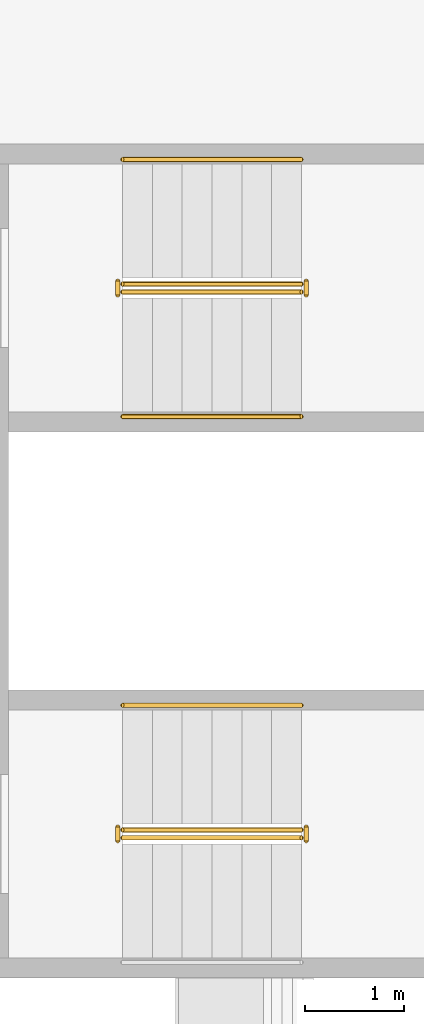
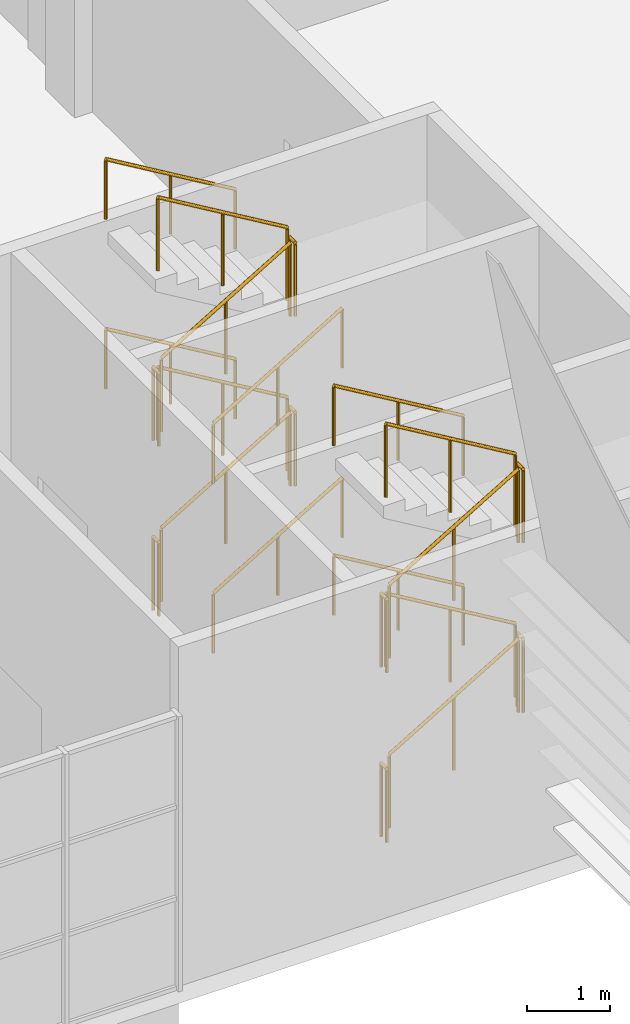
# One storey, part 71 of 82: 22 railings.
"""IFC4 building model written with IfcOpenShell, lengths in metres."""

from ifc_helpers import new_model, si_unit, direction, frame, origin, origin_2d, place, context, subcontext, project, spatial, circle, extrude, material, type_object, element, save


model = new_model("IFC4")

# Units and contexts
model_context = context("Model", 3, precision=1e-05, world=origin(), true_north=direction((0.0, 1.0)))
body_context = subcontext(model_context, "Body", "Model", "MODEL_VIEW")
ifc_project = project(units=[si_unit("LENGTHUNIT", "METRE"), si_unit("AREAUNIT", "SQUARE_METRE"), si_unit("VOLUMEUNIT", "CUBIC_METRE"), si_unit("PLANEANGLEUNIT", "RADIAN"), si_unit("MASSUNIT", "GRAM", prefix="KILO")], contexts=[model_context])

# Site, building, storey
site_placement = place(None, origin())
site = spatial("IfcSite", under=ifc_project, at=site_placement, CompositionType="ELEMENT")
building_placement = place(site_placement, origin())
building = spatial("IfcBuilding", under=site, at=building_placement, Name="Almond Square Museum", CompositionType="ELEMENT")
storey_placement = place(building_placement, frame((0.0, 0.0, 20.0)))
storey = spatial("IfcBuildingStorey", under=building, at=storey_placement, Name="L03", CompositionType="ELEMENT", Elevation=20.0)

# Railings
ifc_material_1 = material(Name="Stainless steel and laminated glass", Category="steel")
railing_type_1 = type_object("IfcRailingType", Name="Stair guard 1100 steel and glass", PredefinedType="GUARDRAIL", material=ifc_material_1)
railing_1_placement = place(storey_placement, frame((102.14990234375, 68.610107421875, 0.178466796875)))
element("IfcRailing", 1, at=railing_1_placement, inside=storey, type_object=railing_type_1, Name="L03 ST-11 stair guard 1", PredefinedType="GUARDRAIL", context=body_context, shape_type="SweptSolid", body=[
    extrude(circle(Radius=0.02392578125, at=origin_2d()), frame((0.0, 0.0, 1.076171875), z_axis=(0.859277029364, 0.0, 0.511510495305), x_axis=(0.0, 1.0, 0.0)), (0.0, 0.0, 1.0), 2.0947265625),
    extrude(circle(Radius=0.02099609375, at=origin_2d()), origin(), (0.0, 0.0, 1.0), 1.052001953125),
    extrude(circle(Radius=0.02099609375, at=origin_2d()), frame((0.89990234375, 0.0, 0.53564453125)), (0.0, 0.0, 1.0), 1.052001953125),
    extrude(circle(Radius=0.02099609375, at=origin_2d()), frame((1.800048828125, 0.0, 1.071533203125)), (0.0, 0.0, 1.0), 1.052001953125),
])
railing_2_placement = place(storey_placement, frame((104.0, 68.580078125, 1.25)))
element("IfcRailing", 2, at=railing_2_placement, inside=storey, type_object=railing_type_1, Name="L03 ST-11 stair guard 2", PredefinedType="GUARDRAIL", context=body_context, shape_type="SweptSolid", body=[
    extrude(circle(Radius=0.02392578125, at=origin_2d()), frame((0.0, 0.0, 1.076171875), z_axis=(0.0, 1.0, 0.0), x_axis=(-1.0, 0.0, 0.0)), (0.0, 0.0, 1.0), 0.139892578125),
    extrude(circle(Radius=0.02099609375, at=origin_2d()), origin(), (0.0, 0.0, 1.0), 1.052001953125),
    extrude(circle(Radius=0.02099609375, at=origin_2d()), frame((0.0, 0.139892578125, 0.0)), (0.0, 0.0, 1.0), 1.052001953125),
])
railing_3_placement = place(storey_placement, frame((103.949951171875, 68.68994140625, 1.428466796875)))
element("IfcRailing", 3, at=railing_3_placement, inside=storey, type_object=railing_type_1, Name="L03 ST-11 stair guard 3", PredefinedType="GUARDRAIL", context=body_context, shape_type="SweptSolid", body=[
    extrude(circle(Radius=0.02392578125, at=origin_2d()), frame((0.0, 0.0, 1.076171875), z_axis=(-0.859277029364, 0.0, 0.511510495305), x_axis=(0.0, -1.0, 0.0)), (0.0, 0.0, 1.0), 2.0947265625),
    extrude(circle(Radius=0.02099609375, at=origin_2d()), origin(), (0.0, 0.0, 1.0), 1.052001953125),
    extrude(circle(Radius=0.02099609375, at=origin_2d()), frame((-0.89990234375, 0.0, 0.53564453125)), (0.0, 0.0, 1.0), 1.052001953125),
    extrude(circle(Radius=0.02099609375, at=origin_2d()), frame((-1.800048828125, 0.0, 1.071533203125)), (0.0, 0.0, 1.0), 1.052001953125),
])
railing_4_placement = place(storey_placement, frame((102.10009765625, 68.580078125, 2.5)))
element("IfcRailing", 4, at=railing_4_placement, inside=storey, type_object=railing_type_1, Name="L03 ST-11 stair guard 4", PredefinedType="GUARDRAIL", context=body_context, shape_type="SweptSolid", body=[
    extrude(circle(Radius=0.02392578125, at=origin_2d()), frame((0.0, 0.0, 1.076171875), z_axis=(0.0, 1.0, 0.0), x_axis=(-1.0, 0.0, 0.0)), (0.0, 0.0, 1.0), 0.139892578125),
    extrude(circle(Radius=0.02099609375, at=origin_2d()), origin(), (0.0, 0.0, 1.0), 1.052001953125),
    extrude(circle(Radius=0.02099609375, at=origin_2d()), frame((0.0, 0.139892578125, 0.0)), (0.0, 0.0, 1.0), 1.052001953125),
])
railing_5_placement = place(storey_placement, frame((102.14990234375, 68.610107421875, 2.678466796875)))
element("IfcRailing", 5, at=railing_5_placement, inside=storey, type_object=railing_type_1, Name="L03 ST-11 stair guard 5", PredefinedType="GUARDRAIL", context=body_context, shape_type="SweptSolid", body=[
    extrude(circle(Radius=0.02392578125, at=origin_2d()), frame((0.0, 0.0, 1.076171875), z_axis=(0.859277029364, 0.0, 0.511510495305), x_axis=(0.0, 1.0, 0.0)), (0.0, 0.0, 1.0), 2.0947265625),
    extrude(circle(Radius=0.02099609375, at=origin_2d()), origin(), (0.0, 0.0, 1.0), 1.052001953125),
    extrude(circle(Radius=0.02099609375, at=origin_2d()), frame((0.89990234375, 0.0, 0.53564453125)), (0.0, 0.0, 1.0), 1.052001953125),
    extrude(circle(Radius=0.02099609375, at=origin_2d()), frame((1.800048828125, 0.0, 1.071533203125)), (0.0, 0.0, 1.0), 1.052001953125),
])
railing_6_placement = place(storey_placement, frame((104.0, 68.580078125, 3.75)))
element("IfcRailing", 6, at=railing_6_placement, inside=storey, type_object=railing_type_1, Name="L03 ST-11 stair guard 6", PredefinedType="GUARDRAIL", context=body_context, shape_type="SweptSolid", body=[
    extrude(circle(Radius=0.02392578125, at=origin_2d()), frame((0.0, 0.0, 1.076171875), z_axis=(0.0, 1.0, 0.0), x_axis=(-1.0, 0.0, 0.0)), (0.0, 0.0, 1.0), 0.139892578125),
    extrude(circle(Radius=0.02099609375, at=origin_2d()), origin(), (0.0, 0.0, 1.0), 1.052001953125),
    extrude(circle(Radius=0.02099609375, at=origin_2d()), frame((0.0, 0.139892578125, 0.0)), (0.0, 0.0, 1.0), 1.052001953125),
])
railing_7_placement = place(storey_placement, frame((103.949951171875, 68.68994140625, 3.928466796875)))
element("IfcRailing", 7, at=railing_7_placement, inside=storey, type_object=railing_type_1, Name="L03 ST-11 stair guard 7", PredefinedType="GUARDRAIL", context=body_context, shape_type="SweptSolid", body=[
    extrude(circle(Radius=0.02392578125, at=origin_2d()), frame((0.0, 0.0, 1.076171875), z_axis=(-0.859277029364, 0.0, 0.511510495305), x_axis=(0.0, -1.0, 0.0)), (0.0, 0.0, 1.0), 2.0947265625),
    extrude(circle(Radius=0.02099609375, at=origin_2d()), origin(), (0.0, 0.0, 1.0), 1.052001953125),
    extrude(circle(Radius=0.02099609375, at=origin_2d()), frame((-0.89990234375, 0.0, 0.53564453125)), (0.0, 0.0, 1.0), 1.052001953125),
    extrude(circle(Radius=0.02099609375, at=origin_2d()), frame((-1.800048828125, 0.0, 1.071533203125)), (0.0, 0.0, 1.0), 1.052001953125),
])
railing_8_placement = place(storey_placement, frame((102.10009765625, 68.580078125, 0.0)))
element("IfcRailing", 8, at=railing_8_placement, inside=storey, type_object=railing_type_1, Name="L03 ST-11 stair guard 8", PredefinedType="GUARDRAIL", context=body_context, shape_type="SweptSolid", body=[
    extrude(circle(Radius=0.02392578125, at=origin_2d()), frame((0.0, 0.0, 1.076171875), z_axis=(0.0, 1.0, 0.0), x_axis=(-1.0, 0.0, 0.0)), (0.0, 0.0, 1.0), 0.139892578125),
    extrude(circle(Radius=0.02099609375, at=origin_2d()), origin(), (0.0, 0.0, 1.0), 1.052001953125),
    extrude(circle(Radius=0.02099609375, at=origin_2d()), frame((0.0, 0.139892578125, 0.0)), (0.0, 0.0, 1.0), 1.052001953125),
])
railing_9_placement = place(storey_placement, frame((102.14990234375, 74.110107421875, 0.178466796875)))
element("IfcRailing", 9, at=railing_9_placement, inside=storey, type_object=railing_type_1, Name="L03 ST-12 stair guard 1", PredefinedType="GUARDRAIL", context=body_context, shape_type="SweptSolid", body=[
    extrude(circle(Radius=0.02392578125, at=origin_2d()), frame((0.0, 0.0, 1.076171875), z_axis=(0.859277029364, 0.0, 0.511510495305), x_axis=(0.0, 1.0, 0.0)), (0.0, 0.0, 1.0), 2.0947265625),
    extrude(circle(Radius=0.02099609375, at=origin_2d()), origin(), (0.0, 0.0, 1.0), 1.052001953125),
    extrude(circle(Radius=0.02099609375, at=origin_2d()), frame((0.89990234375, 0.0, 0.53564453125)), (0.0, 0.0, 1.0), 1.052001953125),
    extrude(circle(Radius=0.02099609375, at=origin_2d()), frame((1.800048828125, 0.0, 1.071533203125)), (0.0, 0.0, 1.0), 1.052001953125),
])
railing_10_placement = place(storey_placement, frame((104.0, 74.080078125, 1.25)))
element("IfcRailing", 10, at=railing_10_placement, inside=storey, type_object=railing_type_1, Name="L03 ST-12 stair guard 2", PredefinedType="GUARDRAIL", context=body_context, shape_type="SweptSolid", body=[
    extrude(circle(Radius=0.02392578125, at=origin_2d()), frame((0.0, 0.0, 1.076171875), z_axis=(0.0, 1.0, 0.0), x_axis=(-1.0, 0.0, 0.0)), (0.0, 0.0, 1.0), 0.139892578125),
    extrude(circle(Radius=0.02099609375, at=origin_2d()), origin(), (0.0, 0.0, 1.0), 1.052001953125),
    extrude(circle(Radius=0.02099609375, at=origin_2d()), frame((0.0, 0.139892578125, 0.0)), (0.0, 0.0, 1.0), 1.052001953125),
])
railing_11_placement = place(storey_placement, frame((103.949951171875, 74.18994140625, 1.428466796875)))
element("IfcRailing", 11, at=railing_11_placement, inside=storey, type_object=railing_type_1, Name="L03 ST-12 stair guard 3", PredefinedType="GUARDRAIL", context=body_context, shape_type="SweptSolid", body=[
    extrude(circle(Radius=0.02392578125, at=origin_2d()), frame((0.0, 0.0, 1.076171875), z_axis=(-0.859277029364, 0.0, 0.511510495305), x_axis=(0.0, -1.0, 0.0)), (0.0, 0.0, 1.0), 2.0947265625),
    extrude(circle(Radius=0.02099609375, at=origin_2d()), origin(), (0.0, 0.0, 1.0), 1.052001953125),
    extrude(circle(Radius=0.02099609375, at=origin_2d()), frame((-0.89990234375, 0.0, 0.53564453125)), (0.0, 0.0, 1.0), 1.052001953125),
    extrude(circle(Radius=0.02099609375, at=origin_2d()), frame((-1.800048828125, 0.0, 1.071533203125)), (0.0, 0.0, 1.0), 1.052001953125),
])
railing_12_placement = place(storey_placement, frame((102.10009765625, 74.080078125, 2.5)))
element("IfcRailing", 12, at=railing_12_placement, inside=storey, type_object=railing_type_1, Name="L03 ST-12 stair guard 4", PredefinedType="GUARDRAIL", context=body_context, shape_type="SweptSolid", body=[
    extrude(circle(Radius=0.02392578125, at=origin_2d()), frame((0.0, 0.0, 1.076171875), z_axis=(0.0, 1.0, 0.0), x_axis=(-1.0, 0.0, 0.0)), (0.0, 0.0, 1.0), 0.139892578125),
    extrude(circle(Radius=0.02099609375, at=origin_2d()), origin(), (0.0, 0.0, 1.0), 1.052001953125),
    extrude(circle(Radius=0.02099609375, at=origin_2d()), frame((0.0, 0.139892578125, 0.0)), (0.0, 0.0, 1.0), 1.052001953125),
])
railing_13_placement = place(storey_placement, frame((102.14990234375, 74.110107421875, 2.678466796875)))
element("IfcRailing", 13, at=railing_13_placement, inside=storey, type_object=railing_type_1, Name="L03 ST-12 stair guard 5", PredefinedType="GUARDRAIL", context=body_context, shape_type="SweptSolid", body=[
    extrude(circle(Radius=0.02392578125, at=origin_2d()), frame((0.0, 0.0, 1.076171875), z_axis=(0.859277029364, 0.0, 0.511510495305), x_axis=(0.0, 1.0, 0.0)), (0.0, 0.0, 1.0), 2.0947265625),
    extrude(circle(Radius=0.02099609375, at=origin_2d()), origin(), (0.0, 0.0, 1.0), 1.052001953125),
    extrude(circle(Radius=0.02099609375, at=origin_2d()), frame((0.89990234375, 0.0, 0.53564453125)), (0.0, 0.0, 1.0), 1.052001953125),
    extrude(circle(Radius=0.02099609375, at=origin_2d()), frame((1.800048828125, 0.0, 1.071533203125)), (0.0, 0.0, 1.0), 1.052001953125),
])
railing_14_placement = place(storey_placement, frame((104.0, 74.080078125, 3.75)))
element("IfcRailing", 14, at=railing_14_placement, inside=storey, type_object=railing_type_1, Name="L03 ST-12 stair guard 6", PredefinedType="GUARDRAIL", context=body_context, shape_type="SweptSolid", body=[
    extrude(circle(Radius=0.02392578125, at=origin_2d()), frame((0.0, 0.0, 1.076171875), z_axis=(0.0, 1.0, 0.0), x_axis=(-1.0, 0.0, 0.0)), (0.0, 0.0, 1.0), 0.139892578125),
    extrude(circle(Radius=0.02099609375, at=origin_2d()), origin(), (0.0, 0.0, 1.0), 1.052001953125),
    extrude(circle(Radius=0.02099609375, at=origin_2d()), frame((0.0, 0.139892578125, 0.0)), (0.0, 0.0, 1.0), 1.052001953125),
])
railing_15_placement = place(storey_placement, frame((103.949951171875, 74.18994140625, 3.928466796875)))
element("IfcRailing", 15, at=railing_15_placement, inside=storey, type_object=railing_type_1, Name="L03 ST-12 stair guard 7", PredefinedType="GUARDRAIL", context=body_context, shape_type="SweptSolid", body=[
    extrude(circle(Radius=0.02392578125, at=origin_2d()), frame((0.0, 0.0, 1.076171875), z_axis=(-0.859277029364, 0.0, 0.511510495305), x_axis=(0.0, -1.0, 0.0)), (0.0, 0.0, 1.0), 2.0947265625),
    extrude(circle(Radius=0.02099609375, at=origin_2d()), origin(), (0.0, 0.0, 1.0), 1.052001953125),
    extrude(circle(Radius=0.02099609375, at=origin_2d()), frame((-0.89990234375, 0.0, 0.53564453125)), (0.0, 0.0, 1.0), 1.052001953125),
    extrude(circle(Radius=0.02099609375, at=origin_2d()), frame((-1.800048828125, 0.0, 1.071533203125)), (0.0, 0.0, 1.0), 1.052001953125),
])
railing_16_placement = place(storey_placement, frame((102.10009765625, 74.080078125, 0.0)))
element("IfcRailing", 16, at=railing_16_placement, inside=storey, type_object=railing_type_1, Name="L03 ST-12 stair guard 8", PredefinedType="GUARDRAIL", context=body_context, shape_type="SweptSolid", body=[
    extrude(circle(Radius=0.02392578125, at=origin_2d()), frame((0.0, 0.0, 1.076171875), z_axis=(0.0, 1.0, 0.0), x_axis=(-1.0, 0.0, 0.0)), (0.0, 0.0, 1.0), 0.139892578125),
    extrude(circle(Radius=0.02099609375, at=origin_2d()), origin(), (0.0, 0.0, 1.0), 1.052001953125),
    extrude(circle(Radius=0.02099609375, at=origin_2d()), frame((0.0, 0.139892578125, 0.0)), (0.0, 0.0, 1.0), 1.052001953125),
])
ifc_material_2 = material(Name="Stainless steel", Category="steel")
railing_type_2 = type_object("IfcRailingType", Name="Stair handrail 900 steel", PredefinedType="HANDRAIL", material=ifc_material_2)
for number, where, name in (
    (17, (103.949951171875, 69.945068359375, 1.428466796875), "L03 ST-11 stair handrail 2"),
    (18, (103.949951171875, 69.945068359375, 3.928466796875), "L03 ST-11 stair handrail 4"),
):
    element("IfcRailing", number, at=place(storey_placement, frame(where)), inside=storey, type_object=railing_type_2, Name=name, PredefinedType="HANDRAIL", context=body_context, shape_type="SweptSolid", body=[
        extrude(circle(Radius=0.02392578125, at=origin_2d()), frame((0.0, 0.0, 0.8759765625), z_axis=(-0.859277029364, 0.0, 0.511510495305), x_axis=(0.0, -1.0, 0.0)), (0.0, 0.0, 1.0), 2.0947265625),
        extrude(circle(Radius=0.02099609375, at=origin_2d()), origin(), (0.0, 0.0, 1.0), 0.851806640625),
        extrude(circle(Radius=0.02099609375, at=origin_2d()), frame((-0.89990234375, 0.0, 0.53564453125)), (0.0, 0.0, 1.0), 0.851806640625),
        extrude(circle(Radius=0.02099609375, at=origin_2d()), frame((-1.800048828125, 0.0, 1.071533203125)), (0.0, 0.0, 1.0), 0.851806640625),
    ])
railing_17_placement = place(storey_placement, frame((102.14990234375, 72.85498046875, 0.178466796875)))
element("IfcRailing", 19, at=railing_17_placement, inside=storey, type_object=railing_type_2, Name="L03 ST-12 stair handrail 1", PredefinedType="HANDRAIL", context=body_context, shape_type="SweptSolid", body=[
    extrude(circle(Radius=0.02392578125, at=origin_2d()), frame((0.0, 0.0, 0.8759765625), z_axis=(0.859277029364, 0.0, 0.511510495305), x_axis=(0.0, 1.0, 0.0)), (0.0, 0.0, 1.0), 2.0947265625),
    extrude(circle(Radius=0.02099609375, at=origin_2d()), origin(), (0.0, 0.0, 1.0), 0.851806640625),
    extrude(circle(Radius=0.02099609375, at=origin_2d()), frame((0.89990234375, 0.0, 0.53564453125)), (0.0, 0.0, 1.0), 0.851806640625),
    extrude(circle(Radius=0.02099609375, at=origin_2d()), frame((1.800048828125, 0.0, 1.071533203125)), (0.0, 0.0, 1.0), 0.851806640625),
])
railing_18_placement = place(storey_placement, frame((103.949951171875, 75.445068359375, 1.428466796875)))
element("IfcRailing", 20, at=railing_18_placement, inside=storey, type_object=railing_type_2, Name="L03 ST-12 stair handrail 2", PredefinedType="HANDRAIL", context=body_context, shape_type="SweptSolid", body=[
    extrude(circle(Radius=0.02392578125, at=origin_2d()), frame((0.0, 0.0, 0.8759765625), z_axis=(-0.859277029364, 0.0, 0.511510495305), x_axis=(0.0, -1.0, 0.0)), (0.0, 0.0, 1.0), 2.0947265625),
    extrude(circle(Radius=0.02099609375, at=origin_2d()), origin(), (0.0, 0.0, 1.0), 0.851806640625),
    extrude(circle(Radius=0.02099609375, at=origin_2d()), frame((-0.89990234375, 0.0, 0.53564453125)), (0.0, 0.0, 1.0), 0.851806640625),
    extrude(circle(Radius=0.02099609375, at=origin_2d()), frame((-1.800048828125, 0.0, 1.071533203125)), (0.0, 0.0, 1.0), 0.851806640625),
])
railing_19_placement = place(storey_placement, frame((102.14990234375, 72.85498046875, 2.678466796875)))
element("IfcRailing", 21, at=railing_19_placement, inside=storey, type_object=railing_type_2, Name="L03 ST-12 stair handrail 3", PredefinedType="HANDRAIL", context=body_context, shape_type="SweptSolid", body=[
    extrude(circle(Radius=0.02392578125, at=origin_2d()), frame((0.0, 0.0, 0.8759765625), z_axis=(0.859277029364, 0.0, 0.511510495305), x_axis=(0.0, 1.0, 0.0)), (0.0, 0.0, 1.0), 2.0947265625),
    extrude(circle(Radius=0.02099609375, at=origin_2d()), origin(), (0.0, 0.0, 1.0), 0.851806640625),
    extrude(circle(Radius=0.02099609375, at=origin_2d()), frame((0.89990234375, 0.0, 0.53564453125)), (0.0, 0.0, 1.0), 0.851806640625),
    extrude(circle(Radius=0.02099609375, at=origin_2d()), frame((1.800048828125, 0.0, 1.071533203125)), (0.0, 0.0, 1.0), 0.851806640625),
])
railing_20_placement = place(storey_placement, frame((103.949951171875, 75.445068359375, 3.928466796875)))
element("IfcRailing", 22, at=railing_20_placement, inside=storey, type_object=railing_type_2, Name="L03 ST-12 stair handrail 4", PredefinedType="HANDRAIL", context=body_context, shape_type="SweptSolid", body=[
    extrude(circle(Radius=0.02392578125, at=origin_2d()), frame((0.0, 0.0, 0.8759765625), z_axis=(-0.859277029364, 0.0, 0.511510495305), x_axis=(0.0, -1.0, 0.0)), (0.0, 0.0, 1.0), 2.0947265625),
    extrude(circle(Radius=0.02099609375, at=origin_2d()), origin(), (0.0, 0.0, 1.0), 0.851806640625),
    extrude(circle(Radius=0.02099609375, at=origin_2d()), frame((-0.89990234375, 0.0, 0.53564453125)), (0.0, 0.0, 1.0), 0.851806640625),
    extrude(circle(Radius=0.02099609375, at=origin_2d()), frame((-1.800048828125, 0.0, 1.071533203125)), (0.0, 0.0, 1.0), 0.851806640625),
])

save(model, "model.ifc")
